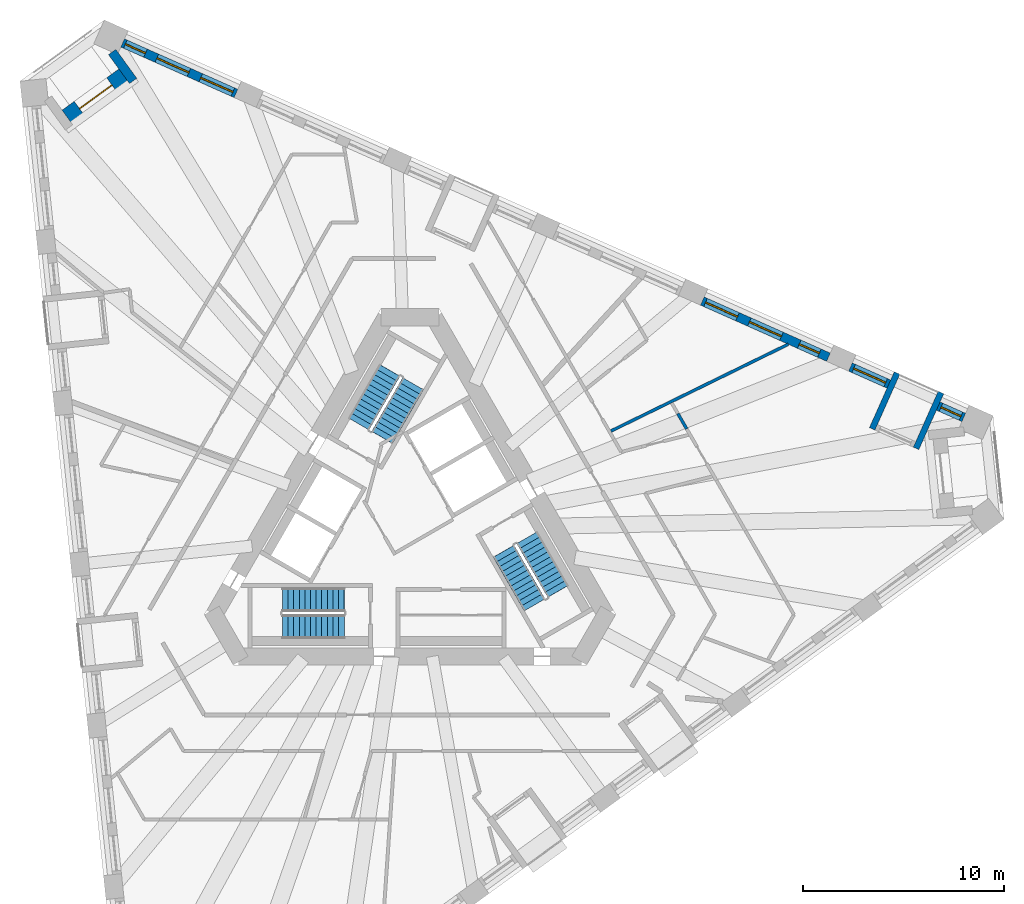
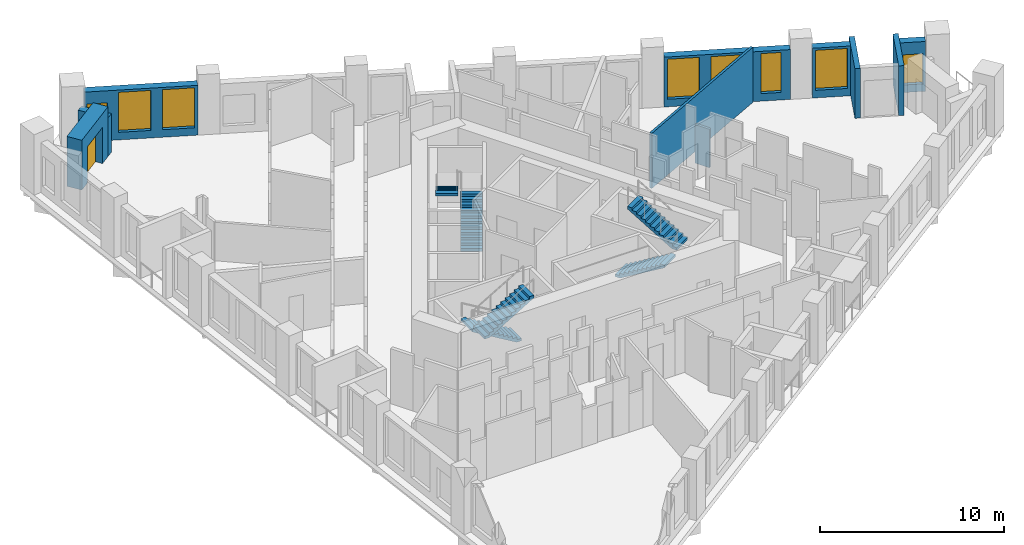
# One storey, part 9 of 14: 10 walls, 8 windows, 6 stair flights, 1 door, 9 openings, 3 elements without a shape of their own.
"""IFC4 building model written with IfcOpenShell, lengths in metres."""

from ifc_helpers import new_model, si_unit, direction, frame, frame_2d, origin, place, context, subcontext, project, spatial, polyline, rectangle, outline, extrude, material, layer, layer_set, type_object, element, fill, aggregate, save


model = new_model("IFC4")

# Units and contexts
model_context = context("Model", 3, precision=1e-05, world=origin(), true_north=direction((0.0, 1.0)))
body_context = subcontext(model_context, "Body", "Model", "MODEL_VIEW")
ifc_project = project(units=[si_unit("LENGTHUNIT", "METRE"), si_unit("AREAUNIT", "SQUARE_METRE"), si_unit("VOLUMEUNIT", "CUBIC_METRE"), si_unit("PLANEANGLEUNIT", "RADIAN"), si_unit("MASSUNIT", "GRAM", prefix="KILO")], contexts=[model_context])

# Site, building, storey
site_placement = place(None, origin())
site = spatial("IfcSite", under=ifc_project, at=site_placement, CompositionType="ELEMENT")
building_placement = place(site_placement, origin())
building = spatial("IfcBuilding", under=site, at=building_placement, Name="Tramontana Tower", CompositionType="ELEMENT")
storey_placement = place(building_placement, frame((0.0, 0.0, 190.800048828125)))
storey = spatial("IfcBuildingStorey", under=building, at=storey_placement, Name="L44", CompositionType="ELEMENT", Elevation=190.800048828125)

# Wall, opening, window
ifc_material_1 = material(Name="Precast concrete 60 MPa", Category="concrete")
ifc_layer_1 = layer(ifc_material_1, 0.449951171875)
ifc_layer_set_1 = layer_set([ifc_layer_1], Name="Precast concrete 60 MPa, 450 mm")
wall_type_1 = type_object("IfcWallType", Name="EW1 Stone-faced precast wall 450", PredefinedType="SOLIDWALL", material=ifc_layer_set_1)
wall_1_placement = place(storey_placement, frame((27.604736328125, 5.57958984375, 0.0), z_axis=(0.0, 0.0, 1.0), x_axis=(-0.913558681389, 0.406706940756, 0.0)))
wall_1 = element("IfcWall", 1, at=wall_1_placement, inside=storey, type_object=wall_type_1, Name="External wall L44 face 2 bay 1", PredefinedType="SOLIDWALL", context=body_context, shape_type="SweptSolid", body=[
    extrude(rectangle(XDim=1.39453125, YDim=0.449951171875, at=frame_2d((0.697265625, 0.0))), origin(), (0.0, 0.0, 1.0), 3.300048828125),
])
opening_1_placement = place(wall_1_placement, frame((0.147216796875, 0.0, 0.5)))
opening_1 = element("IfcOpeningElement", 2, at=opening_1_placement, cuts=wall_1, Name="Opening N2L", PredefinedType="OPENING", context=body_context, shape_type="SweptSolid", body=[
    extrude(rectangle(XDim=1.10009765625, YDim=2.0, at=frame_2d((0.550048828125, 1.0))), frame((0.0, 0.23486328125, 0.0), z_axis=(0.0, -1.0, 0.0), x_axis=(1.0, 0.0, 0.0)), (0.0, 0.0, 1.0), 0.469970703125),
])
ifc_material_2 = material(Name="Aluminum frame, double glazing unit", Category="aluminium")
window_type_1 = type_object("IfcWindowType", Name="N2L Window 1.1 x 2", PartitioningType="SINGLE_PANEL", PredefinedType="WINDOW", material=ifc_material_2)
window_1_placement = place(opening_1_placement, origin())
window_1 = element("IfcWindow", 3, at=window_1_placement, inside=storey, type_object=window_type_1, Name="Window N2L L44 face 2 module 1", OverallHeight=2.0, OverallWidth=1.10009765625, PartitioningType="SINGLE_PANEL", PredefinedType="WINDOW", context=body_context, shape_type="SweptSolid", body=[
    extrude(rectangle(XDim=1.10009765625, YDim=2.0, at=frame_2d((0.550048828125, 1.0))), frame((0.0, 0.030029296875, 0.0), z_axis=(0.0, -1.0, 0.0), x_axis=(1.0, 0.0, 0.0)), (0.0, 0.0, 1.0), 0.06005859375),
])
fill(opening_1, window_1)

wall_2_placement = place(storey_placement, frame((23.86962890625, 7.242431640625, 0.0), z_axis=(0.0, 0.0, 1.0), x_axis=(-0.913513282906, 0.406808901026, 0.0)))
wall_2 = element("IfcWall", 4, at=wall_2_placement, inside=storey, type_object=wall_type_1, Name="External wall L44 face 2 bay 1", PredefinedType="SOLIDWALL", context=body_context, shape_type="SweptSolid", body=[
    extrude(rectangle(XDim=2.094482421875, YDim=0.449951171875, at=frame_2d((1.04736328125, 0.0))), origin(), (0.0, 0.0, 1.0), 3.300048828125),
])
opening_2_placement = place(wall_2_placement, frame((0.172119140625, 0.0, 0.5)))
opening_2 = element("IfcOpeningElement", 5, at=opening_2_placement, cuts=wall_2, Name="Opening M2", PredefinedType="OPENING", context=body_context, shape_type="SweptSolid", body=[
    extrude(rectangle(XDim=1.75, YDim=2.64990234375, at=frame_2d((0.875, 1.324951171875))), frame((0.0, 0.23486328125, 0.0), z_axis=(0.0, -1.0, 0.0), x_axis=(1.0, 0.0, 0.0)), (0.0, 0.0, 1.0), 0.469970703125),
])
ifc_material_3 = material(Name="Aluminum frame, double glazing unit", Category="aluminium")
window_type_2 = type_object("IfcWindowType", Name="M2 Window 1.75 x 2.65", PartitioningType="SINGLE_PANEL", PredefinedType="WINDOW", material=ifc_material_3)
window_2_placement = place(opening_2_placement, origin())
window_2 = element("IfcWindow", 6, at=window_2_placement, inside=storey, type_object=window_type_2, Name="Window M2 L44 face 2 module 3", OverallHeight=2.64990234375, OverallWidth=1.75, PartitioningType="SINGLE_PANEL", PredefinedType="WINDOW", context=body_context, shape_type="SweptSolid", body=[
    extrude(rectangle(XDim=1.75, YDim=2.64990234375, at=frame_2d((0.875, 1.324951171875))), frame((0.0, 0.030029296875, 0.0), z_axis=(0.0, -1.0, 0.0), x_axis=(1.0, 0.0, 0.0)), (0.0, 0.0, 1.0), 0.06005859375),
])
fill(opening_2, window_2)

# Wall, openings, windows
wall_3_placement = place(storey_placement, frame((20.860107421875, 8.58251953125, 0.0), z_axis=(0.0, 0.0, 1.0), x_axis=(-0.913543675585, 0.40674064562, 0.0)))
wall_3 = element("IfcWall", 7, at=wall_3_placement, inside=storey, type_object=wall_type_1, Name="External wall L44 face 2 bay 2", PredefinedType="SOLIDWALL", context=body_context, shape_type="SweptSolid", body=[
    extrude(rectangle(XDim=6.8828125, YDim=0.449951171875, at=frame_2d((3.44140625, 0.0))), origin(), (0.0, 0.0, 1.0), 3.300048828125),
])
opening_3_placement = place(wall_3_placement, frame((0.4970703125, 0.0, 0.5)))
opening_3 = element("IfcOpeningElement", 8, at=opening_3_placement, cuts=wall_3, Name="Opening N2", PredefinedType="OPENING", context=body_context, shape_type="SweptSolid", body=[
    extrude(rectangle(XDim=1.10009765625, YDim=2.64990234375, at=frame_2d((0.550048828125, 1.324951171875))), frame((0.0, 0.23486328125, 0.0), z_axis=(0.0, -1.0, 0.0), x_axis=(1.0, 0.0, 0.0)), (0.0, 0.0, 1.0), 0.469970703125),
])
opening_4_placement = place(wall_3_placement, frame((2.56640625, 0.0, 0.5)))
opening_4 = element("IfcOpeningElement", 9, at=opening_4_placement, cuts=wall_3, Name="Opening M2", PredefinedType="OPENING", context=body_context, shape_type="SweptSolid", body=[
    extrude(rectangle(XDim=1.75, YDim=2.64990234375, at=frame_2d((0.875, 1.324951171875))), frame((0.0, 0.23486328125, 0.0), z_axis=(0.0, -1.0, 0.0), x_axis=(1.0, 0.0, 0.0)), (0.0, 0.0, 1.0), 0.469970703125),
])
opening_5_placement = place(wall_3_placement, frame((4.960693359375, 0.0, 0.5)))
opening_5 = element("IfcOpeningElement", 10, at=opening_5_placement, cuts=wall_3, Name="Opening M2", PredefinedType="OPENING", context=body_context, shape_type="SweptSolid", body=[
    extrude(rectangle(XDim=1.75, YDim=2.64990234375, at=frame_2d((0.875, 1.324951171875))), frame((0.0, 0.23486328125, 0.0), z_axis=(0.0, -1.0, 0.0), x_axis=(1.0, 0.0, 0.0)), (0.0, 0.0, 1.0), 0.469970703125),
])
window_3_placement = place(opening_4_placement, origin())
window_3 = element("IfcWindow", 11, at=window_3_placement, inside=storey, type_object=window_type_2, Name="Window M2 L44 face 2 module 5", OverallHeight=2.64990234375, OverallWidth=1.75, PartitioningType="SINGLE_PANEL", PredefinedType="WINDOW", context=body_context, shape_type="SweptSolid", body=[
    extrude(rectangle(XDim=1.75, YDim=2.64990234375, at=frame_2d((0.875, 1.324951171875))), frame((0.0, 0.030029296875, 0.0), z_axis=(0.0, -1.0, 0.0), x_axis=(1.0, 0.0, 0.0)), (0.0, 0.0, 1.0), 0.06005859375),
])
fill(opening_4, window_3)
window_4_placement = place(opening_5_placement, origin())
window_4 = element("IfcWindow", 12, at=window_4_placement, inside=storey, type_object=window_type_2, Name="Window M2 L44 face 2 module 6", OverallHeight=2.64990234375, OverallWidth=1.75, PartitioningType="SINGLE_PANEL", PredefinedType="WINDOW", context=body_context, shape_type="SweptSolid", body=[
    extrude(rectangle(XDim=1.75, YDim=2.64990234375, at=frame_2d((0.875, 1.324951171875))), frame((0.0, 0.030029296875, 0.0), z_axis=(0.0, -1.0, 0.0), x_axis=(1.0, 0.0, 0.0)), (0.0, 0.0, 1.0), 0.06005859375),
])
fill(opening_5, window_4)
ifc_material_4 = material(Name="Aluminum frame, double glazing unit", Category="aluminium")
window_type_3 = type_object("IfcWindowType", Name="N2 Window 1.1 x 2.65", PartitioningType="SINGLE_PANEL", PredefinedType="WINDOW", material=ifc_material_4)
window_5_placement = place(opening_3_placement, origin())
window_5 = element("IfcWindow", 13, at=window_5_placement, inside=storey, type_object=window_type_3, Name="Window N2 L44 face 2 module 4", OverallHeight=2.64990234375, OverallWidth=1.10009765625, PartitioningType="SINGLE_PANEL", PredefinedType="WINDOW", context=body_context, shape_type="SweptSolid", body=[
    extrude(rectangle(XDim=1.10009765625, YDim=2.64990234375, at=frame_2d((0.550048828125, 1.324951171875))), frame((0.0, 0.030029296875, 0.0), z_axis=(0.0, -1.0, 0.0), x_axis=(1.0, 0.0, 0.0)), (0.0, 0.0, 1.0), 0.06005859375),
])
fill(opening_3, window_5)

wall_4_placement = place(storey_placement, frame((-8.67626953125, 21.73291015625, 0.0), z_axis=(0.0, 0.0, 1.0), x_axis=(-0.913542682641, 0.406742875773, 0.0)))
wall_4 = element("IfcWall", 14, at=wall_4_placement, inside=storey, type_object=wall_type_1, Name="External wall L44 face 2 bay 6", PredefinedType="SOLIDWALL", context=body_context, shape_type="SweptSolid", body=[
    extrude(rectangle(XDim=6.18310546875, YDim=0.449951171875, at=frame_2d((3.091552734375, 0.0))), origin(), (0.0, 0.0, 1.0), 3.300048828125),
])
opening_6_placement = place(wall_4_placement, frame((0.172119140625, 0.0, 0.5)))
opening_6 = element("IfcOpeningElement", 15, at=opening_6_placement, cuts=wall_4, Name="Opening M2", PredefinedType="OPENING", context=body_context, shape_type="SweptSolid", body=[
    extrude(rectangle(XDim=1.75, YDim=2.64990234375, at=frame_2d((0.875, 1.324951171875))), frame((0.0, 0.23486328125, 0.0), z_axis=(0.0, -1.0, 0.0), x_axis=(1.0, 0.0, 0.0)), (0.0, 0.0, 1.0), 0.469970703125),
])
opening_7_placement = place(wall_4_placement, frame((2.56640625, 0.0, 0.5)))
opening_7 = element("IfcOpeningElement", 16, at=opening_7_placement, cuts=wall_4, Name="Opening M2", PredefinedType="OPENING", context=body_context, shape_type="SweptSolid", body=[
    extrude(rectangle(XDim=1.75, YDim=2.64990234375, at=frame_2d((0.875, 1.324951171875))), frame((0.0, 0.23486328125, 0.0), z_axis=(0.0, -1.0, 0.0), x_axis=(1.0, 0.0, 0.0)), (0.0, 0.0, 1.0), 0.469970703125),
])
opening_8_placement = place(wall_4_placement, frame((4.935791015625, 0.0, 0.5)))
opening_8 = element("IfcOpeningElement", 17, at=opening_8_placement, cuts=wall_4, Name="Opening N2L", PredefinedType="OPENING", context=body_context, shape_type="SweptSolid", body=[
    extrude(rectangle(XDim=1.10009765625, YDim=2.0, at=frame_2d((0.550048828125, 1.0))), frame((0.0, 0.23486328125, 0.0), z_axis=(0.0, -1.0, 0.0), x_axis=(1.0, 0.0, 0.0)), (0.0, 0.0, 1.0), 0.469970703125),
])
window_6_placement = place(opening_6_placement, origin())
window_6 = element("IfcWindow", 18, at=window_6_placement, inside=storey, type_object=window_type_2, Name="Window M2 L44 face 2 module 16", OverallHeight=2.64990234375, OverallWidth=1.75, PartitioningType="SINGLE_PANEL", PredefinedType="WINDOW", context=body_context, shape_type="SweptSolid", body=[
    extrude(rectangle(XDim=1.75, YDim=2.64990234375, at=frame_2d((0.875, 1.324951171875))), frame((0.0, 0.030029296875, 0.0), z_axis=(0.0, -1.0, 0.0), x_axis=(1.0, 0.0, 0.0)), (0.0, 0.0, 1.0), 0.06005859375),
])
fill(opening_6, window_6)
window_7_placement = place(opening_7_placement, origin())
window_7 = element("IfcWindow", 19, at=window_7_placement, inside=storey, type_object=window_type_2, Name="Window M2 L44 face 2 module 17", OverallHeight=2.64990234375, OverallWidth=1.75, PartitioningType="SINGLE_PANEL", PredefinedType="WINDOW", context=body_context, shape_type="SweptSolid", body=[
    extrude(rectangle(XDim=1.75, YDim=2.64990234375, at=frame_2d((0.875, 1.324951171875))), frame((0.0, 0.030029296875, 0.0), z_axis=(0.0, -1.0, 0.0), x_axis=(1.0, 0.0, 0.0)), (0.0, 0.0, 1.0), 0.06005859375),
])
fill(opening_7, window_7)
window_8_placement = place(opening_8_placement, origin())
window_8 = element("IfcWindow", 20, at=window_8_placement, inside=storey, type_object=window_type_1, Name="Window N2L L44 face 2 module 18", OverallHeight=2.0, OverallWidth=1.10009765625, PartitioningType="SINGLE_PANEL", PredefinedType="WINDOW", context=body_context, shape_type="SweptSolid", body=[
    extrude(rectangle(XDim=1.10009765625, YDim=2.0, at=frame_2d((0.550048828125, 1.0))), frame((0.0, 0.030029296875, 0.0), z_axis=(0.0, -1.0, 0.0), x_axis=(1.0, 0.0, 0.0)), (0.0, 0.0, 1.0), 0.06005859375),
])
fill(opening_8, window_8)

# Wall
wall_5_placement = place(storey_placement, frame((-14.847900390625, 23.796630859375, 0.0), z_axis=(0.0, 0.0, 1.0), x_axis=(0.587722853316, -0.809062326209, 0.0)))
element("IfcWall", 21, at=wall_5_placement, inside=storey, type_object=wall_type_1, Name="Corner loggia side wall L44 K40r", PredefinedType="SOLIDWALL", context=body_context, shape_type="SweptSolid", body=[
    extrude(rectangle(XDim=1.779052734375, YDim=0.449951171875, at=frame_2d((0.8896484375, 0.0))), origin(), (0.0, 0.0, 1.0), 2.550048828125),
])

# Wall, opening, door
ifc_material_5 = material(Name="Precast concrete 60 MPa", Category="concrete")
ifc_layer_2 = layer(ifc_material_5, 0.89990234375)
ifc_layer_set_2 = layer_set([ifc_layer_2], Name="EW2 Stone-faced corner loggia wall 900")
wall_type_2 = type_object("IfcWallType", Name="EW2 Stone-faced corner loggia wall 900", PredefinedType="SOLIDWALL", material=ifc_layer_set_2)
wall_6_placement = place(storey_placement, frame((-17.080322265625, 20.53173828125, 0.0), z_axis=(0.0, 0.0, 1.0), x_axis=(0.809031597325, 0.587765152531, 0.0)))
wall_6 = element("IfcWall", 22, at=wall_6_placement, inside=storey, type_object=wall_type_2, Name="Corner loggia wall L44 K40", PredefinedType="SOLIDWALL", context=body_context, shape_type="SweptSolid", body=[
    extrude(rectangle(XDim=3.5, YDim=0.89990234375, at=frame_2d((1.75, 0.0))), origin(), (0.0, 0.0, 1.0), 3.300048828125),
])
opening_9_placement = place(wall_6_placement, frame((0.75, 0.0, 0.0)))
opening_9 = element("IfcOpeningElement", 23, at=opening_9_placement, cuts=wall_6, Name="Opening BD-40C", PredefinedType="OPENING", context=body_context, shape_type="SweptSolid", body=[
    extrude(rectangle(XDim=2.0, YDim=2.39990234375, at=frame_2d((1.0, 1.199951171875))), frame((0.0, 0.4599609375, 0.0), z_axis=(0.0, -1.0, 0.0), x_axis=(1.0, 0.0, 0.0)), (0.0, 0.0, 1.0), 0.919921875),
])
ifc_material_6 = material(Name="Aluminum frame, double glazing unit", Category="aluminium")
door_type = type_object("IfcDoorType", Name="BC1 Sliding door 2 x 2.4", OperationType="SLIDING_TO_LEFT", PredefinedType="DOOR", material=ifc_material_6)
door_placement = place(opening_9_placement, origin())
door = element("IfcDoor", 24, at=door_placement, inside=storey, type_object=door_type, Name="Corner loggia door L44 K40", OperationType="SLIDING_TO_LEFT", OverallHeight=2.39990234375, OverallWidth=2.0, PredefinedType="DOOR", context=body_context, shape_type="SweptSolid", body=[
    extrude(rectangle(XDim=2.0, YDim=2.39990234375, at=frame_2d((1.0, 1.199951171875))), frame((0.0, 0.02490234375, 0.0), z_axis=(0.0, -1.0, 0.0), x_axis=(1.0, 0.0, 0.0)), (0.0, 0.0, 1.0), 0.050048828125),
])
fill(opening_9, door)

# Walls
ifc_material_7 = material(Name="Precast concrete 60 MPa", Category="concrete")
ifc_layer_3 = layer(ifc_material_7, 0.300048828125)
ifc_layer_set_3 = layer_set([ifc_layer_3], Name="LW1 Stone-faced loggia wall 300")
wall_type_3 = type_object("IfcWallType", Name="LW1 Stone-faced loggia wall 300", PredefinedType="SOLIDWALL", material=ifc_layer_set_3)
for number, where, z_axis, x_axis, name in (
    (25, (26.468505859375, 6.82421875, 0.0), (0.0, 0.0, 1.0), (-0.406806804169, -0.913514216683, 0.0), "Loggia return L44 G4S2.1a"),
    (26, (24.281005859375, 7.798095703125, 0.0), (0.0, 0.0, 1.0), (-0.406739999721, -0.91354396316, 0.0), "Loggia return L44 G4S2.1b"),
):
    element("IfcWall", number, at=place(storey_placement, frame(where, z_axis=z_axis, x_axis=x_axis)), inside=storey, type_object=wall_type_3, Name=name, PredefinedType="SOLIDWALL", context=body_context, shape_type="SweptSolid", body=[
        extrude(rectangle(XDim=3.0498046875, YDim=0.300048828125, at=frame_2d((1.52490234375, 0.0))), origin(), (0.0, 0.0, 1.0), 3.300048828125),
    ])
ifc_material_8 = material(Name="Gypsum board partition")
ifc_layer_4 = layer(ifc_material_8, 0.14990234375)
ifc_layer_set_4 = layer_set([ifc_layer_4], Name="PARTITION 150")
wall_type_4 = type_object("IfcWallType", Name="PARTITION 150", PredefinedType="PARTITIONING", material=ifc_layer_set_4)
wall_7_placement = place(storey_placement, frame((10.015869140625, 4.902099609375, 0.0), z_axis=(0.0, 0.0, 1.0), x_axis=(0.898175873885, 0.439636326492, 0.0)))
element("IfcWall", 27, at=wall_7_placement, inside=storey, type_object=wall_type_4, Name="Wall v42-pw28", PredefinedType="PARTITIONING", context=body_context, shape_type="SweptSolid", body=[
    extrude(rectangle(XDim=9.841552734375, YDim=0.14990234375, at=frame_2d((4.9208984375, 0.0))), origin(), (0.0, 0.0, 1.0), 3.64990234375),
])
wall_8_placement = place(storey_placement, frame((13.3505859375, 5.7763671875, 0.0), z_axis=(0.0, 0.0, 1.0), x_axis=(0.499969398072, -0.866043071095, 0.0)))
element("IfcWall", 28, at=wall_8_placement, inside=storey, type_object=wall_type_4, Name="Wall v42-pw37-1", PredefinedType="PARTITIONING", context=body_context, shape_type="SweptSolid", body=[
    extrude(rectangle(XDim=0.88427734375, YDim=0.14990234375, at=frame_2d((0.442138671875, 0.0))), origin(), (0.0, 0.0, 1.0), 2.550048828125),
])

# Stair, stair flights
ifc_material_9 = material(Name="Concrete 40 MPa", Category="concrete")
stair_type = type_object("IfcStairType", Name="EXIT STAIR 24 RISERS", PredefinedType="HALF_TURN_STAIR", material=ifc_material_9)
stair_1_placement = place(storey_placement, origin())
stair_1 = element("IfcStair", 29, at=stair_1_placement, inside=storey, type_object=stair_type, Name="L44 Exit stair ST1", PredefinedType="HALF_TURN_STAIR")
ifc_material_10 = material(Name="Concrete 40 MPa", Category="concrete")
ifc_layer_5 = layer(ifc_material_10, 0.14990234375)
ifc_layer_set_5 = layer_set([ifc_layer_5], Name="EXIT STAIR FLIGHT")
stair_flight_type = type_object("IfcStairFlightType", Name="EXIT STAIR FLIGHT", PredefinedType="STRAIGHT", material=ifc_layer_set_5)
stair_flight_1_placement = place(storey_placement, frame((-1.39111328125, 4.590576171875, 0.0), z_axis=(0.0, 0.0, 1.0), x_axis=(0.5, 0.866025403784, 0.0)))
stair_flight_1 = element("IfcStairFlight", 30, at=stair_flight_1_placement, type_object=stair_flight_type, Name="ST1 flight 1", NumberOfRisers=12, NumberOfTreads=11, PredefinedType="STRAIGHT", RiserHeight=0.166666667, TreadLength=0.28, context=body_context, shape_type="SweptSolid", body=[
    extrude(outline(polyline([(-0.006103515625, 0.0), (-0.006103515625, 0.0400390625), (0.0, 0.0400390625), (0.0, 0.166748046875), (0.280029296875, 0.166748046875), (0.280029296875, 0.333251953125), (0.56005859375, 0.333251953125), (0.56005859375, 0.5), (0.840087890625, 0.5), (0.840087890625, 0.666748046875), (1.1201171875, 0.666748046875), (1.1201171875, 0.833251953125), (1.39990234375, 0.833251953125), (1.39990234375, 1.0), (1.679931640625, 1.0), (1.679931640625, 1.166748046875), (1.9599609375, 1.166748046875), (1.9599609375, 1.333251953125), (2.239990234375, 1.333251953125), (2.239990234375, 1.5), (2.52001953125, 1.5), (2.52001953125, 1.666748046875), (2.800048828125, 1.666748046875), (2.800048828125, 1.833251953125), (3.080078125, 1.833251953125), (3.0859375, 1.833251953125), (3.0859375, 1.658935546875), (0.299072265625, 0.0), (-0.006103515625, 0.0)])), frame((0.0, 0.60009765625, 0.0), z_axis=(0.0, -1.0, 0.0), x_axis=(1.0, 0.0, 0.0)), (0.0, 0.0, 1.0), 1.199951171875),
])
stair_flight_2_placement = place(storey_placement, frame((-1.020263671875, 7.932861328125, 2.0), z_axis=(0.0, 0.0, 1.0), x_axis=(-0.5, -0.866025403784, 0.0)))
stair_flight_2 = element("IfcStairFlight", 31, at=stair_flight_2_placement, type_object=stair_flight_type, Name="ST1 flight 2", NumberOfRisers=12, NumberOfTreads=11, PredefinedType="STRAIGHT", RiserHeight=0.166666667, TreadLength=0.28, context=body_context, shape_type="SweptSolid", body=[
    extrude(outline(polyline([(-0.006103515625, 0.0), (-0.006103515625, 0.0400390625), (0.0, 0.0400390625), (0.0, 0.166748046875), (0.280029296875, 0.166748046875), (0.280029296875, 0.333251953125), (0.56005859375, 0.333251953125), (0.56005859375, 0.5), (0.840087890625, 0.5), (0.840087890625, 0.666748046875), (1.1201171875, 0.666748046875), (1.1201171875, 0.833251953125), (1.39990234375, 0.833251953125), (1.39990234375, 1.0), (1.679931640625, 1.0), (1.679931640625, 1.166748046875), (1.9599609375, 1.166748046875), (1.9599609375, 1.333251953125), (2.239990234375, 1.333251953125), (2.239990234375, 1.5), (2.52001953125, 1.5), (2.52001953125, 1.666748046875), (2.800048828125, 1.666748046875), (2.800048828125, 1.833251953125), (3.080078125, 1.833251953125), (3.0859375, 1.833251953125), (3.0859375, 1.658935546875), (0.299072265625, 0.0), (-0.006103515625, 0.0)])), frame((0.0, 0.60009765625, 0.0), z_axis=(0.0, -1.0, 0.0), x_axis=(1.0, 0.0, 0.0)), (0.0, 0.0, 1.0), 1.199951171875),
])
aggregate(stair_1, [stair_flight_1, stair_flight_2])

stair_2_placement = place(storey_placement, origin())
stair_2 = element("IfcStair", 32, at=stair_2_placement, inside=storey, type_object=stair_type, Name="L44 Exit stair ST2", PredefinedType="HALF_TURN_STAIR")
stair_flight_3_placement = place(storey_placement, frame((-3.280029296875, -3.5, 0.0), z_axis=(0.0, 0.0, 1.0), x_axis=(-1.0, 0.0, 0.0)))
stair_flight_3 = element("IfcStairFlight", 33, at=stair_flight_3_placement, type_object=stair_flight_type, Name="ST2 flight 1", NumberOfRisers=12, NumberOfTreads=11, PredefinedType="STRAIGHT", RiserHeight=0.166666667, TreadLength=0.28, context=body_context, shape_type="SweptSolid", body=[
    extrude(outline(polyline([(-0.006103515625, 0.0), (-0.006103515625, 0.0400390625), (0.0, 0.0400390625), (0.0, 0.166748046875), (0.280029296875, 0.166748046875), (0.280029296875, 0.333251953125), (0.56005859375, 0.333251953125), (0.56005859375, 0.5), (0.840087890625, 0.5), (0.840087890625, 0.666748046875), (1.1201171875, 0.666748046875), (1.1201171875, 0.833251953125), (1.39990234375, 0.833251953125), (1.39990234375, 1.0), (1.679931640625, 1.0), (1.679931640625, 1.166748046875), (1.9599609375, 1.166748046875), (1.9599609375, 1.333251953125), (2.239990234375, 1.333251953125), (2.239990234375, 1.5), (2.52001953125, 1.5), (2.52001953125, 1.666748046875), (2.800048828125, 1.666748046875), (2.800048828125, 1.833251953125), (3.080078125, 1.833251953125), (3.0859375, 1.833251953125), (3.0859375, 1.658935546875), (0.299072265625, 0.0), (-0.006103515625, 0.0)])), frame((0.0, 0.60009765625, 0.0), z_axis=(0.0, -1.0, 0.0), x_axis=(1.0, 0.0, 0.0)), (0.0, 0.0, 1.0), 1.199951171875),
])
stair_flight_4_placement = place(storey_placement, frame((-6.360107421875, -4.85009765625, 2.0), z_axis=(0.0, 0.0, 1.0), x_axis=(1.0, 0.0, 0.0)))
stair_flight_4 = element("IfcStairFlight", 34, at=stair_flight_4_placement, type_object=stair_flight_type, Name="ST2 flight 2", NumberOfRisers=12, NumberOfTreads=11, PredefinedType="STRAIGHT", RiserHeight=0.166666667, TreadLength=0.28, context=body_context, shape_type="SweptSolid", body=[
    extrude(outline(polyline([(-0.006103515625, 0.0), (-0.006103515625, 0.0400390625), (0.0, 0.0400390625), (0.0, 0.166748046875), (0.280029296875, 0.166748046875), (0.280029296875, 0.333251953125), (0.56005859375, 0.333251953125), (0.56005859375, 0.5), (0.840087890625, 0.5), (0.840087890625, 0.666748046875), (1.1201171875, 0.666748046875), (1.1201171875, 0.833251953125), (1.39990234375, 0.833251953125), (1.39990234375, 1.0), (1.679931640625, 1.0), (1.679931640625, 1.166748046875), (1.9599609375, 1.166748046875), (1.9599609375, 1.333251953125), (2.239990234375, 1.333251953125), (2.239990234375, 1.5), (2.52001953125, 1.5), (2.52001953125, 1.666748046875), (2.800048828125, 1.666748046875), (2.800048828125, 1.833251953125), (3.080078125, 1.833251953125), (3.0859375, 1.833251953125), (3.0859375, 1.658935546875), (0.299072265625, 0.0), (-0.006103515625, 0.0)])), frame((0.0, 0.60009765625, 0.0), z_axis=(0.0, -1.0, 0.0), x_axis=(1.0, 0.0, 0.0)), (0.0, 0.0, 1.0), 1.199951171875),
])
aggregate(stair_2, [stair_flight_3, stair_flight_4])

stair_3_placement = place(storey_placement, origin())
stair_3 = element("IfcStair", 35, at=stair_3_placement, inside=storey, type_object=stair_type, Name="L44 Exit stair ST3", PredefinedType="HALF_TURN_STAIR")
stair_flight_5_placement = place(storey_placement, frame((4.671142578125, -1.090576171875, 0.0), z_axis=(0.0, 0.0, 1.0), x_axis=(0.5, -0.866025403784, 0.0)))
stair_flight_5 = element("IfcStairFlight", 36, at=stair_flight_5_placement, type_object=stair_flight_type, Name="ST3 flight 1", NumberOfRisers=12, NumberOfTreads=11, PredefinedType="STRAIGHT", RiserHeight=0.166666667, TreadLength=0.28, context=body_context, shape_type="SweptSolid", body=[
    extrude(outline(polyline([(-0.006103515625, 0.0), (-0.006103515625, 0.0400390625), (0.0, 0.0400390625), (0.0, 0.166748046875), (0.280029296875, 0.166748046875), (0.280029296875, 0.333251953125), (0.56005859375, 0.333251953125), (0.56005859375, 0.5), (0.840087890625, 0.5), (0.840087890625, 0.666748046875), (1.1201171875, 0.666748046875), (1.1201171875, 0.833251953125), (1.39990234375, 0.833251953125), (1.39990234375, 1.0), (1.679931640625, 1.0), (1.679931640625, 1.166748046875), (1.9599609375, 1.166748046875), (1.9599609375, 1.333251953125), (2.239990234375, 1.333251953125), (2.239990234375, 1.5), (2.52001953125, 1.5), (2.52001953125, 1.666748046875), (2.800048828125, 1.666748046875), (2.800048828125, 1.833251953125), (3.080078125, 1.833251953125), (3.0859375, 1.833251953125), (3.0859375, 1.658935546875), (0.299072265625, 0.0), (-0.006103515625, 0.0)])), frame((0.0, 0.60009765625, 0.0), z_axis=(0.0, -1.0, 0.0), x_axis=(1.0, 0.0, 0.0)), (0.0, 0.0, 1.0), 1.199951171875),
])
stair_flight_6_placement = place(storey_placement, frame((7.380126953125, -3.0830078125, 2.0), z_axis=(0.0, 0.0, 1.0), x_axis=(-0.5, 0.866025403784, 0.0)))
stair_flight_6 = element("IfcStairFlight", 37, at=stair_flight_6_placement, type_object=stair_flight_type, Name="ST3 flight 2", NumberOfRisers=12, NumberOfTreads=11, PredefinedType="STRAIGHT", RiserHeight=0.166666667, TreadLength=0.28, context=body_context, shape_type="SweptSolid", body=[
    extrude(outline(polyline([(-0.006103515625, 0.0), (-0.006103515625, 0.0400390625), (0.0, 0.0400390625), (0.0, 0.166748046875), (0.280029296875, 0.166748046875), (0.280029296875, 0.333251953125), (0.56005859375, 0.333251953125), (0.56005859375, 0.5), (0.840087890625, 0.5), (0.840087890625, 0.666748046875), (1.1201171875, 0.666748046875), (1.1201171875, 0.833251953125), (1.39990234375, 0.833251953125), (1.39990234375, 1.0), (1.679931640625, 1.0), (1.679931640625, 1.166748046875), (1.9599609375, 1.166748046875), (1.9599609375, 1.333251953125), (2.239990234375, 1.333251953125), (2.239990234375, 1.5), (2.52001953125, 1.5), (2.52001953125, 1.666748046875), (2.800048828125, 1.666748046875), (2.800048828125, 1.833251953125), (3.080078125, 1.833251953125), (3.0859375, 1.833251953125), (3.0859375, 1.658935546875), (0.299072265625, 0.0), (-0.006103515625, 0.0)])), frame((0.0, 0.60009765625, 0.0), z_axis=(0.0, -1.0, 0.0), x_axis=(1.0, 0.0, 0.0)), (0.0, 0.0, 1.0), 1.199951171875),
])
aggregate(stair_3, [stair_flight_5, stair_flight_6])

save(model, "model.ifc")
